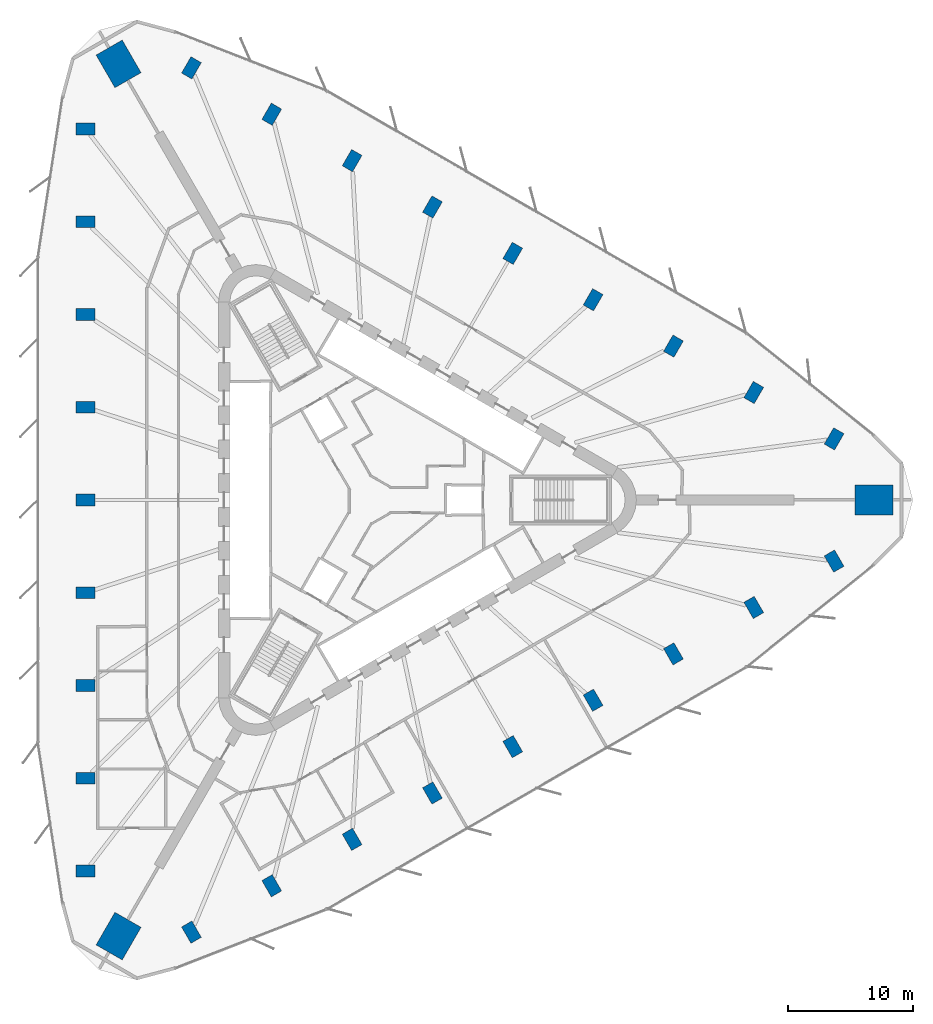
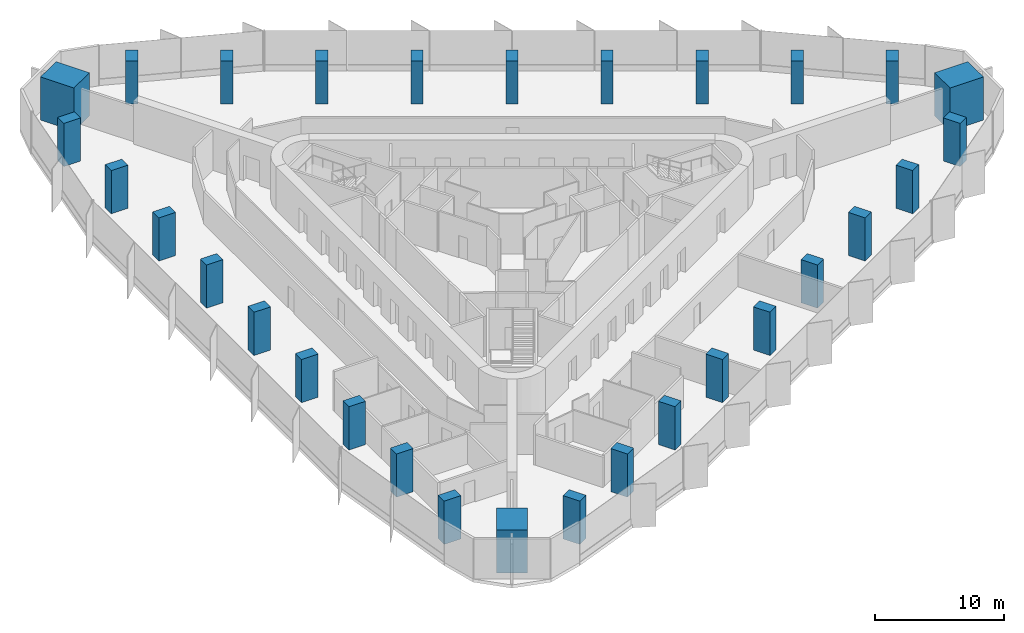
# One storey, part 1 of 15: 30 columns.
"""IFC4 building model written with IfcOpenShell, lengths in metres."""

from ifc_helpers import new_model, si_unit, direction, frame, origin, origin_2d, place, context, subcontext, project, spatial, rectangle, extrude, material, material_profile, profile_set, type_object, element, save


model = new_model("IFC4")

# Units and contexts
model_context = context("Model", 3, precision=1e-05, world=origin(), true_north=direction((0.0, 1.0)))
body_context = subcontext(model_context, "Body", "Model", "MODEL_VIEW")
ifc_project = project(units=[si_unit("LENGTHUNIT", "METRE"), si_unit("AREAUNIT", "SQUARE_METRE"), si_unit("VOLUMEUNIT", "CUBIC_METRE"), si_unit("PLANEANGLEUNIT", "RADIAN"), si_unit("MASSUNIT", "GRAM", prefix="KILO")], contexts=[model_context])

# Site, building, storey
site_placement = place(None, origin())
site = spatial("IfcSite", under=ifc_project, at=site_placement, CompositionType="ELEMENT")
building_placement = place(site_placement, origin())
building = spatial("IfcBuilding", under=site, at=building_placement, Name="Tanit Gate Tower", CompositionType="ELEMENT")
storey_placement = place(building_placement, frame((0.0, 0.0, 135.699951171875)))
storey = spatial("IfcBuildingStorey", under=building, at=storey_placement, Name="L29", CompositionType="ELEMENT", Elevation=135.699951171875)

# Columns
ifc_material_1 = material(Name="Concrete C70/85", Category="concrete")
ifc_material_profile_1 = material_profile(ifc_material_1, rectangle(XDim=3.0, YDim=2.39990234375, at=origin_2d()), Name="RC 3000x2400")
ifc_profile_set_1 = profile_set([ifc_material_profile_1], Name="Concrete C70/85")
column_type_1 = type_object("IfcColumnType", Name="MEGA COLUMN 3000x2400 C70/85", PredefinedType="COLUMN", material=ifc_profile_set_1)
for number, where, z_axis, x_axis, name in (
    (1, (40.127685546875, 0.0, 0.0), (0.0, 0.0, 1.0), (1.0, 0.0, 0.0), "MEGA COLUMN"),
    (2, (-20.06396484375, 34.751708984375, 0.0), (0.0, 0.0, 1.0), (-0.5, 0.866025403784, 0.0), "MEGA COLUMN"),
    (3, (-20.06396484375, -34.751708984375, 0.0), (0.0, 0.0, 1.0), (-0.5, -0.866025403784, 0.0), "MEGA COLUMN"),
):
    element("IfcColumn", number, at=place(storey_placement, frame(where, z_axis=z_axis, x_axis=x_axis)), inside=storey, type_object=column_type_1, Name=name, PredefinedType="COLUMN", context=body_context, shape_type="SweptSolid", body=[
        extrude(rectangle(XDim=3.0, YDim=2.39990234375, at=origin_2d()), origin(), (0.0, 0.0, 1.0), 4.10009765625),
    ])
ifc_material_2 = material(Name="Concrete C60/75", Category="concrete")
ifc_material_profile_2 = material_profile(ifc_material_2, rectangle(XDim=1.5, YDim=0.949951171875, at=origin_2d()), Name="RC 1500x950")
ifc_profile_set_2 = profile_set([ifc_material_profile_2], Name="Concrete C60/75")
column_type_2 = type_object("IfcColumnType", Name="PERIMETER COLUMN 1500x950 C60/75", PredefinedType="COLUMN", material=ifc_profile_set_2)
for number, where, z_axis, x_axis, name in (
    (4, (-22.69140625, 29.56591796875, 0.0), (0.0, 0.0, 1.0), (-1.0, 0.0, 0.0), "PERIMETER COLUMN"),
    (5, (-22.69140625, 22.17431640625, 0.0), (0.0, 0.0, 1.0), (-1.0, 0.0, 0.0), "PERIMETER COLUMN"),
    (6, (-22.69140625, 14.782958984375, 0.0), (0.0, 0.0, 1.0), (-1.0, 0.0, 0.0), "PERIMETER COLUMN"),
    (7, (-22.69140625, 7.391357421875, 0.0), (0.0, 0.0, 1.0), (-1.0, 0.0, 0.0), "PERIMETER COLUMN"),
    (8, (-22.69140625, 0.0, 0.0), (0.0, 0.0, 1.0), (-1.0, 0.0, 0.0), "PERIMETER COLUMN"),
    (9, (-22.69140625, -7.391357421875, 0.0), (0.0, 0.0, 1.0), (-1.0, 0.0, 0.0), "PERIMETER COLUMN"),
    (10, (-22.69140625, -14.782958984375, 0.0), (0.0, 0.0, 1.0), (-1.0, 0.0, 0.0), "PERIMETER COLUMN"),
    (11, (-22.69140625, -22.17431640625, 0.0), (0.0, 0.0, 1.0), (-1.0, 0.0, 0.0), "PERIMETER COLUMN"),
    (12, (-22.69140625, -29.56591796875, 0.0), (0.0, 0.0, 1.0), (-1.0, 0.0, 0.0), "PERIMETER COLUMN"),
    (13, (36.950439453125, 4.868408203125, 0.0), (0.0, 0.0, 1.0), (0.5, 0.866025403784, 0.0), "PERIMETER COLUMN"),
    (14, (30.54931640625, 8.564208984375, 0.0), (0.0, 0.0, 1.0), (0.5, 0.866025403784, 0.0), "PERIMETER COLUMN"),
    (15, (24.14794921875, 12.259765625, 0.0), (0.0, 0.0, 1.0), (0.5, 0.866025403784, 0.0), "PERIMETER COLUMN"),
    (16, (17.746826171875, 15.95556640625, 0.0), (0.0, 0.0, 1.0), (0.5, 0.866025403784, 0.0), "PERIMETER COLUMN"),
    (17, (11.345703125, 19.6513671875, 0.0), (0.0, 0.0, 1.0), (0.5, 0.866025403784, 0.0), "PERIMETER COLUMN"),
    (18, (4.944580078125, 23.346923828125, 0.0), (0.0, 0.0, 1.0), (0.5, 0.866025403784, 0.0), "PERIMETER COLUMN"),
    (19, (-1.456787109375, 27.042724609375, 0.0), (0.0, 0.0, 1.0), (0.5, 0.866025403784, 0.0), "PERIMETER COLUMN"),
    (20, (-7.85791015625, 30.73828125, 0.0), (0.0, 0.0, 1.0), (0.5, 0.866025403784, 0.0), "PERIMETER COLUMN"),
    (21, (-14.259033203125, 34.43408203125, 0.0), (0.0, 0.0, 1.0), (0.5, 0.866025403784, 0.0), "PERIMETER COLUMN"),
    (22, (-14.259033203125, -34.43408203125, 0.0), (0.0, 0.0, 1.0), (0.5, -0.866025403784, 0.0), "PERIMETER COLUMN"),
    (23, (-7.85791015625, -30.73828125, 0.0), (0.0, 0.0, 1.0), (0.5, -0.866025403784, 0.0), "PERIMETER COLUMN"),
    (24, (-1.456787109375, -27.042724609375, 0.0), (0.0, 0.0, 1.0), (0.5, -0.866025403784, 0.0), "PERIMETER COLUMN"),
    (25, (4.944580078125, -23.346923828125, 0.0), (0.0, 0.0, 1.0), (0.5, -0.866025403784, 0.0), "PERIMETER COLUMN"),
    (26, (11.345703125, -19.6513671875, 0.0), (0.0, 0.0, 1.0), (0.5, -0.866025403784, 0.0), "PERIMETER COLUMN"),
    (27, (17.746826171875, -15.95556640625, 0.0), (0.0, 0.0, 1.0), (0.5, -0.866025403784, 0.0), "PERIMETER COLUMN"),
    (28, (24.14794921875, -12.259765625, 0.0), (0.0, 0.0, 1.0), (0.5, -0.866025403784, 0.0), "PERIMETER COLUMN"),
    (29, (30.54931640625, -8.564208984375, 0.0), (0.0, 0.0, 1.0), (0.5, -0.866025403784, 0.0), "PERIMETER COLUMN"),
    (30, (36.950439453125, -4.868408203125, 0.0), (0.0, 0.0, 1.0), (0.5, -0.866025403784, 0.0), "PERIMETER COLUMN"),
):
    element("IfcColumn", number, at=place(storey_placement, frame(where, z_axis=z_axis, x_axis=x_axis)), inside=storey, type_object=column_type_2, Name=name, PredefinedType="COLUMN", context=body_context, shape_type="SweptSolid", body=[
        extrude(rectangle(XDim=1.5, YDim=0.949951171875, at=origin_2d()), origin(), (0.0, 0.0, 1.0), 4.10009765625),
    ])

save(model, "model.ifc")
